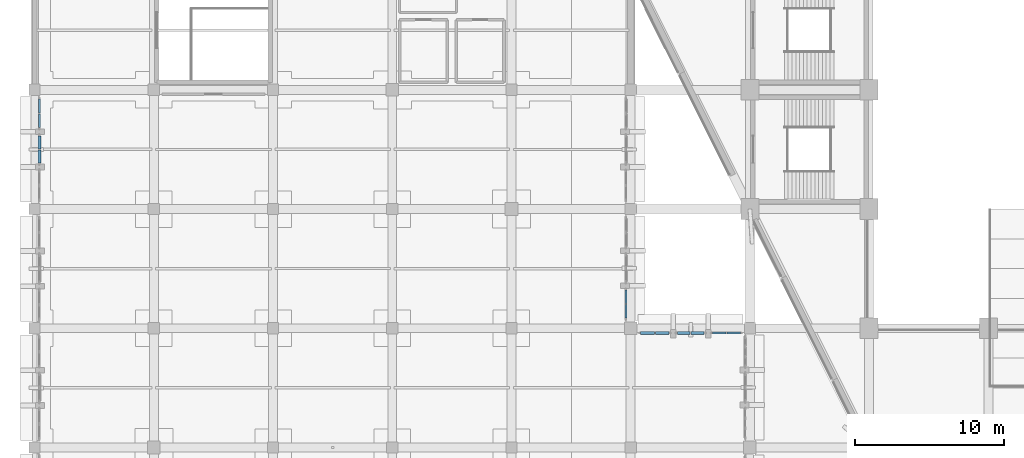
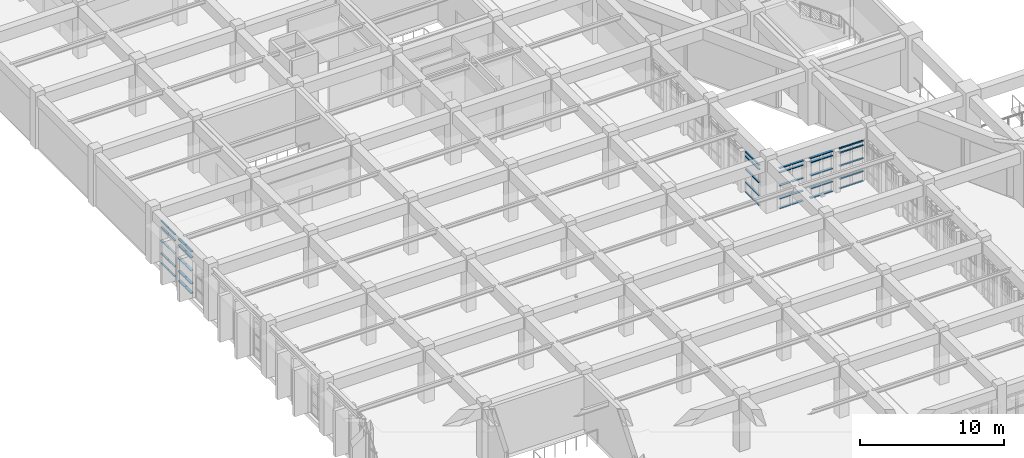
# One storey, part 56 of 155: 60 members, 6 elements without a shape of their own.
"""IFC4 building model written with IfcOpenShell, lengths in metres."""

import ifcopenshell
import ifcopenshell.guid

model = None  # the IFC model being written
_history = None  # IfcOwnerHistory: only IFC2X3 demands one
_inside = {}  # id of a spatial element -> (the spatial element, [elements in it])
_under = {}  # id of a project, library or spatial element -> (it, [spatial elements below it])
_declared = {}  # id of a project -> (the project, [libraries it declares])
_typed = {}  # id of a type object -> (the type object, [elements of that type])
_made_of = {}  # id of a material, layer set ... -> (it, [elements and type objects made of it])


def new_model(schema):
    """Start an empty IFC model of exactly this schema.

    Asked for "IFC4X3", IfcOpenShell would pick the latest addendum, in which some entities
    have other attributes; the version numbers below select the first issue.
    IFC2X3 requires an IfcOwnerHistory on every rooted entity: one is made here for all.
    """
    global model, _history
    if schema == "IFC4X3":
        model = ifcopenshell.file(schema_version=(4, 3, 0, 0))
    else:
        model = ifcopenshell.file(schema=schema)
    _inside.clear()
    _under.clear()
    _declared.clear()
    _typed.clear()
    _made_of.clear()
    _history = None
    if model.schema == "IFC2X3":
        org = make("IfcOrganization", Name="unknown")
        user = make(
            "IfcPersonAndOrganization",
            ThePerson=make("IfcPerson", FamilyName="unknown"),
            TheOrganization=org,
        )
        app = make(
            "IfcApplication",
            ApplicationDeveloper=org,
            Version="unknown",
            ApplicationFullName="unknown",
            ApplicationIdentifier="unknown",
        )
        _history = make(
            "IfcOwnerHistory",
            OwningUser=user,
            OwningApplication=app,
            ChangeAction="ADDED",
            CreationDate=0,
        )
    return model


def make(cls, **values):
    """One entity of the class cls with the attributes given. An attribute that is None is left unset."""
    return model.create_entity(
        cls, **{name: value for name, value in values.items() if value is not None}
    )


def rooted(cls, **values):
    """An entity with a GlobalId (a new one), such as an element, a storey or a relation."""
    return make(cls, GlobalId=ifcopenshell.guid.new(), OwnerHistory=_history, **values)


def si_unit(unit_type, name, prefix=None):
    """IfcSIUnit, for example si_unit("LENGTHUNIT", "METRE", prefix="MILLI")."""
    return make("IfcSIUnit", UnitType=unit_type, Prefix=prefix, Name=name)


def assignment(units):
    """IfcUnitAssignment: the units of a project."""
    return None if units is None else make("IfcUnitAssignment", Units=units)


def point(xyz):
    """IfcCartesianPoint."""
    return None if xyz is None else make("IfcCartesianPoint", Coordinates=xyz)


def direction(xyz):
    """IfcDirection."""
    return None if xyz is None else make("IfcDirection", DirectionRatios=xyz)


def frame(location, z_axis=None, x_axis=None):
    """IfcAxis2Placement3D, a coordinate frame: its origin and axes. An axis left out is left unset."""
    return make(
        "IfcAxis2Placement3D",
        Location=point(location),
        Axis=direction(z_axis),
        RefDirection=direction(x_axis),
    )


def frame_2d(location, x_axis=None):
    """IfcAxis2Placement2D, a coordinate frame in the plane: its origin and x axis."""
    return make(
        "IfcAxis2Placement2D", Location=point(location), RefDirection=direction(x_axis)
    )


def origin():
    """The frame at (0, 0, 0) with its axes left unset."""
    return frame((0.0, 0.0, 0.0))


def origin_2d():
    """The frame at (0, 0) in the plane with its x axis left unset."""
    return frame_2d((0.0, 0.0))


def place(relative_to, where):
    """IfcLocalPlacement: puts the frame where relative to a parent placement (None: the world)."""
    return make(
        "IfcLocalPlacement", PlacementRelTo=relative_to, RelativePlacement=where
    )


def context(
    kind, dimensions, precision=None, world=None, true_north=None, identifier=None
):
    """IfcGeometricRepresentationContext, for example the 3D "Model" context."""
    return make(
        "IfcGeometricRepresentationContext",
        ContextIdentifier=identifier,
        ContextType=kind,
        CoordinateSpaceDimension=dimensions,
        Precision=precision,
        WorldCoordinateSystem=world,
        TrueNorth=true_north,
    )


def subcontext(parent, identifier, kind, view, scale=None):
    """IfcGeometricRepresentationSubContext, for example "Body" below "Model"."""
    return make(
        "IfcGeometricRepresentationSubContext",
        ContextIdentifier=identifier,
        ContextType=kind,
        ParentContext=parent,
        TargetScale=scale,
        TargetView=view,
    )


def project(units=None, contexts=None):
    """IfcProject with its units and contexts."""
    return rooted(
        "IfcProject",
        Name="project",
        RepresentationContexts=contexts,
        UnitsInContext=assignment(units),
    )


def spatial(cls, under=None, at=None, **own):
    """A site, building, storey or space (cls), placed at a placement, below another one or the project."""
    s = rooted(cls, ObjectPlacement=at, **own)
    if under is not None:
        _under.setdefault(under.id(), (under, []))[1].append(s)
    return s


def profile(cls, at=None, kind="AREA", **sizes):
    """A parametric profile (cls). Its sizes go by their IFC names, for example OverallWidth=200.0."""
    return make(cls, ProfileType=kind, Position=at, **sizes)


def rectangle(**sizes):
    """IfcRectangleProfileDef."""
    return profile("IfcRectangleProfileDef", **sizes)


def extrude(swept, where, along, depth):
    """IfcExtrudedAreaSolid: the profile swept, set in the frame where, extruded along a direction by depth."""
    return make(
        "IfcExtrudedAreaSolid",
        SweptArea=swept,
        Position=where,
        ExtrudedDirection=direction(along),
        Depth=depth,
    )


def shape(context_of_items, identifier, shape_type, items):
    """IfcShapeRepresentation: the items that make up one representation, for example the "Body"."""
    return make(
        "IfcShapeRepresentation",
        ContextOfItems=context_of_items,
        RepresentationIdentifier=identifier,
        RepresentationType=shape_type,
        Items=items,
    )


def material(Name=None, Category=None):
    """IfcMaterial."""
    return make("IfcMaterial", Name=Name, Category=Category)


def layer(
    of_material, thickness, ventilated=None, Name=None, Category=None, Priority=None
):
    """IfcMaterialLayer: one layer of a wall or slab, of a material (None: an air gap)."""
    return make(
        "IfcMaterialLayer",
        Material=of_material,
        LayerThickness=thickness,
        IsVentilated=ventilated,
        Name=Name,
        Category=Category,
        Priority=Priority,
    )


def layer_set(layers, Name=None):
    """IfcMaterialLayerSet."""
    return make("IfcMaterialLayerSet", MaterialLayers=layers, LayerSetName=Name)


def material_profile(
    of_material, cross_section, Name=None, Category=None, Priority=None
):
    """IfcMaterialProfile: a cross section and its material."""
    return make(
        "IfcMaterialProfile",
        Name=Name,
        Material=of_material,
        Profile=cross_section,
        Priority=Priority,
        Category=Category,
    )


def profile_set(profiles, Name=None, composite=None):
    """IfcMaterialProfileSet."""
    return make(
        "IfcMaterialProfileSet",
        Name=Name,
        MaterialProfiles=profiles,
        CompositeProfile=composite,
    )


def made_of(thing, what):
    """Note that an element or type object is made of a material, layer set ...; save() writes the relation."""
    if what is not None:
        _made_of.setdefault(what.id(), (what, []))[1].append(thing)
    return thing


def type_object(cls, material=None, **own):
    """A type object (cls), such as IfcWallType, which elements share."""
    return made_of(rooted(cls, **own), material)


def element(
    cls,
    number,
    at=None,
    inside=None,
    cuts=None,
    type_object=None,
    material=None,
    context=None,
    identifier="Body",
    shape_type=None,
    held_by="IfcProductDefinitionShape",
    body=None,
    shapes=None,
    **own,
):
    """One element of the class cls, such as IfcWall. Its Tag is "e" and its number.

    at: its placement. inside: the storey or other place that contains it. cuts: it is an
    opening in that element (IfcRelVoidsElement). A single representation is given by context,
    identifier, shape_type and body (its items); several are given by shapes. held_by: the class
    of the entity that holds the representations. save() writes the other relations.
    """
    e = rooted(cls, Tag="e%d" % number, ObjectPlacement=at, **own)
    if body is not None:
        shapes = [shape(context, identifier, shape_type, body)]
    if shapes is not None:
        e.Representation = make(held_by, Representations=shapes)
    if inside is not None:
        _inside.setdefault(inside.id(), (inside, []))[1].append(e)
    if cuts is not None:
        rooted(
            "IfcRelVoidsElement", RelatingBuildingElement=cuts, RelatedOpeningElement=e
        )
    if type_object is not None:
        _typed.setdefault(type_object.id(), (type_object, []))[1].append(e)
    return made_of(e, material)


def aggregate(whole, parts):
    """IfcRelAggregates: a whole, such as a stair, and the parts it consists of."""
    return rooted("IfcRelAggregates", RelatingObject=whole, RelatedObjects=parts)


def save(model, path):
    """Write the relations noted so far, then the file.

    IfcRelAggregates (storeys below a building ...), IfcRelContainedInSpatialStructure (elements
    in a storey), IfcRelDefinesByType, IfcRelAssociatesMaterial and IfcRelDeclares: one each for
    every whole, place, type object, material and project.
    """
    for whole, parts in _under.values():
        aggregate(whole, parts)
    for where, things in _inside.values():
        rooted(
            "IfcRelContainedInSpatialStructure",
            RelatedElements=things,
            RelatingStructure=where,
        )
    for kind, things in _typed.values():
        rooted("IfcRelDefinesByType", RelatedObjects=things, RelatingType=kind)
    for what, things in _made_of.values():
        rooted("IfcRelAssociatesMaterial", RelatedObjects=things, RelatingMaterial=what)
    for by, libraries in _declared.values():
        rooted("IfcRelDeclares", RelatingContext=by, RelatedDefinitions=libraries)
    model.write(path)


model = new_model("IFC4")

# Units and contexts
model_context = context("Model", 3, precision=1e-05, world=origin(), true_north=direction((0.0, 1.0)))
body_context = subcontext(model_context, "Body", "Model", "MODEL_VIEW")
ifc_project = project(units=[si_unit("LENGTHUNIT", "METRE"), si_unit("AREAUNIT", "SQUARE_METRE"), si_unit("VOLUMEUNIT", "CUBIC_METRE"), si_unit("PLANEANGLEUNIT", "RADIAN"), si_unit("MASSUNIT", "GRAM", prefix="KILO")], contexts=[model_context])

# Site, building, storey
site_placement = place(None, origin())
site = spatial("IfcSite", under=ifc_project, at=site_placement, CompositionType="ELEMENT")
building_placement = place(site_placement, origin())
building = spatial("IfcBuilding", under=site, at=building_placement, Name="Tazarka Park Arena", CompositionType="ELEMENT")
storey_placement = place(building_placement, frame((0.0, 0.0, 5.39990234375)))
storey = spatial("IfcBuildingStorey", under=building, at=storey_placement, Name="L01", CompositionType="ELEMENT", Elevation=5.39990234375)

# Curtain wall, members
ifc_material_1 = material(Name="Aluminium and low-e glass", Category="aluminium")
ifc_layer_1 = layer(ifc_material_1, 0.179931640625, Name="Aluminium and low-e glass")
ifc_layer_set_1 = layer_set([ifc_layer_1], Name="Aluminium and low-e glass")
curtain_wall_type_1 = type_object("IfcCurtainWallType", Name="CW-12", PredefinedType="NOTDEFINED", material=ifc_layer_set_1)
curtain_wall_1_placement = place(storey_placement, origin())
curtain_wall_1 = element("IfcCurtainWall", 1, at=curtain_wall_1_placement, inside=storey, type_object=curtain_wall_type_1, Name="Curtain Wall CWA-L01-102", PredefinedType="NOTDEFINED")
ifc_material_2 = material(Name="Aluminium 6060-T66", Category="aluminium")
ifc_material_profile_1 = material_profile(ifc_material_2, rectangle(XDim=0.139892578125, YDim=0.06494140625, at=origin_2d()), Name="Aluminium 6060-T66")
ifc_profile_set_1 = profile_set([ifc_material_profile_1], Name="Aluminium 6060-T66")
member_type_1 = type_object("IfcMemberType", Name="CWT-01", PredefinedType="USERDEFINED", material=ifc_profile_set_1)
member_1_placement = place(storey_placement, frame((45.473388671875, 39.679931640625, 0.03271484375), z_axis=(1.0, 0.0, 0.0), x_axis=(0.0, 1.0, 0.0)))
member_1 = element("IfcMember", 2, at=member_1_placement, type_object=member_type_1, Name="CW-12 transom 1.1", ObjectType="TRANSOM", PredefinedType="USERDEFINED", context=body_context, shape_type="SweptSolid", body=[
    extrude(rectangle(XDim=0.139892578125, YDim=0.06494140625, at=origin_2d()), origin(), (0.0, 0.0, 1.0), 0.920654296875),
])
member_2_placement = place(storey_placement, frame((45.473388671875, 39.679931640625, 0.85009765625), z_axis=(1.0, 0.0, 0.0), x_axis=(0.0, 1.0, 0.0)))
member_2 = element("IfcMember", 3, at=member_2_placement, type_object=member_type_1, Name="CW-12 transom 1.2", ObjectType="TRANSOM", PredefinedType="USERDEFINED", context=body_context, shape_type="SweptSolid", body=[
    extrude(rectangle(XDim=0.139892578125, YDim=0.06494140625, at=origin_2d()), origin(), (0.0, 0.0, 1.0), 0.920654296875),
])
member_3_placement = place(storey_placement, frame((45.473388671875, 39.679931640625, 1.9501953125), z_axis=(1.0, 0.0, 0.0), x_axis=(0.0, 1.0, 0.0)))
member_3 = element("IfcMember", 4, at=member_3_placement, type_object=member_type_1, Name="CW-12 transom 1.3", ObjectType="TRANSOM", PredefinedType="USERDEFINED", context=body_context, shape_type="SweptSolid", body=[
    extrude(rectangle(XDim=0.139892578125, YDim=0.06494140625, at=origin_2d()), origin(), (0.0, 0.0, 1.0), 0.920654296875),
])
member_4_placement = place(storey_placement, frame((45.473388671875, 39.679931640625, 3.050048828125), z_axis=(1.0, 0.0, 0.0), x_axis=(0.0, 1.0, 0.0)))
member_4 = element("IfcMember", 5, at=member_4_placement, type_object=member_type_1, Name="CW-12 transom 1.4", ObjectType="TRANSOM", PredefinedType="USERDEFINED", context=body_context, shape_type="SweptSolid", body=[
    extrude(rectangle(XDim=0.139892578125, YDim=0.06494140625, at=origin_2d()), origin(), (0.0, 0.0, 1.0), 0.920654296875),
])
member_5_placement = place(storey_placement, frame((45.473388671875, 39.679931640625, 3.41748046875), z_axis=(1.0, 0.0, 0.0), x_axis=(0.0, 1.0, 0.0)))
member_5 = element("IfcMember", 6, at=member_5_placement, type_object=member_type_1, Name="CW-12 transom 1.5", ObjectType="TRANSOM", PredefinedType="USERDEFINED", context=body_context, shape_type="SweptSolid", body=[
    extrude(rectangle(XDim=0.139892578125, YDim=0.06494140625, at=origin_2d()), origin(), (0.0, 0.0, 1.0), 0.920654296875),
])
member_6_placement = place(storey_placement, frame((46.459228515625, 39.679931640625, 0.03271484375), z_axis=(1.0, 0.0, 0.0), x_axis=(0.0, 1.0, 0.0)))
member_6 = element("IfcMember", 7, at=member_6_placement, type_object=member_type_1, Name="CW-12 transom 2.1", ObjectType="TRANSOM", PredefinedType="USERDEFINED", context=body_context, shape_type="SweptSolid", body=[
    extrude(rectangle(XDim=0.139892578125, YDim=0.06494140625, at=origin_2d()), origin(), (0.0, 0.0, 1.0), 0.920654296875),
])
member_7_placement = place(storey_placement, frame((46.459228515625, 39.679931640625, 0.85009765625), z_axis=(1.0, 0.0, 0.0), x_axis=(0.0, 1.0, 0.0)))
member_7 = element("IfcMember", 8, at=member_7_placement, type_object=member_type_1, Name="CW-12 transom 2.2", ObjectType="TRANSOM", PredefinedType="USERDEFINED", context=body_context, shape_type="SweptSolid", body=[
    extrude(rectangle(XDim=0.139892578125, YDim=0.06494140625, at=origin_2d()), origin(), (0.0, 0.0, 1.0), 0.920654296875),
])
member_8_placement = place(storey_placement, frame((46.459228515625, 39.679931640625, 1.9501953125), z_axis=(1.0, 0.0, 0.0), x_axis=(0.0, 1.0, 0.0)))
member_8 = element("IfcMember", 9, at=member_8_placement, type_object=member_type_1, Name="CW-12 transom 2.3", ObjectType="TRANSOM", PredefinedType="USERDEFINED", context=body_context, shape_type="SweptSolid", body=[
    extrude(rectangle(XDim=0.139892578125, YDim=0.06494140625, at=origin_2d()), origin(), (0.0, 0.0, 1.0), 0.920654296875),
])
member_9_placement = place(storey_placement, frame((46.459228515625, 39.679931640625, 3.050048828125), z_axis=(1.0, 0.0, 0.0), x_axis=(0.0, 1.0, 0.0)))
member_9 = element("IfcMember", 10, at=member_9_placement, type_object=member_type_1, Name="CW-12 transom 2.4", ObjectType="TRANSOM", PredefinedType="USERDEFINED", context=body_context, shape_type="SweptSolid", body=[
    extrude(rectangle(XDim=0.139892578125, YDim=0.06494140625, at=origin_2d()), origin(), (0.0, 0.0, 1.0), 0.920654296875),
])
member_10_placement = place(storey_placement, frame((46.459228515625, 39.679931640625, 3.41748046875), z_axis=(1.0, 0.0, 0.0), x_axis=(0.0, 1.0, 0.0)))
member_10 = element("IfcMember", 11, at=member_10_placement, type_object=member_type_1, Name="CW-12 transom 2.5", ObjectType="TRANSOM", PredefinedType="USERDEFINED", context=body_context, shape_type="SweptSolid", body=[
    extrude(rectangle(XDim=0.139892578125, YDim=0.06494140625, at=origin_2d()), origin(), (0.0, 0.0, 1.0), 0.920654296875),
])
aggregate(curtain_wall_1, [member_1, member_2, member_3, member_4, member_5, member_6, member_7, member_8, member_9, member_10])

ifc_material_3 = material(Name="Aluminium and low-e glass", Category="aluminium")
ifc_layer_2 = layer(ifc_material_3, 0.179931640625, Name="Aluminium and low-e glass")
ifc_layer_set_2 = layer_set([ifc_layer_2], Name="Aluminium and low-e glass")
curtain_wall_type_2 = type_object("IfcCurtainWallType", Name="CW-15", PredefinedType="NOTDEFINED", material=ifc_layer_set_2)
curtain_wall_2_placement = place(storey_placement, origin())
curtain_wall_2 = element("IfcCurtainWall", 12, at=curtain_wall_2_placement, inside=storey, type_object=curtain_wall_type_2, Name="Curtain Wall CWA-L01-105", PredefinedType="NOTDEFINED")
member_11_placement = place(storey_placement, frame((39.679931640625, 42.57666015625, 0.03271484375), z_axis=(0.0, -1.0, 0.0), x_axis=(1.0, 0.0, 0.0)))
member_11 = element("IfcMember", 13, at=member_11_placement, type_object=member_type_1, Name="CW-15 transom 1.1", ObjectType="TRANSOM", PredefinedType="USERDEFINED", context=body_context, shape_type="SweptSolid", body=[
    extrude(rectangle(XDim=0.139892578125, YDim=0.06494140625, at=origin_2d()), origin(), (0.0, 0.0, 1.0), 0.9208984375),
])
member_12_placement = place(storey_placement, frame((39.679931640625, 42.57666015625, 0.85009765625), z_axis=(0.0, -1.0, 0.0), x_axis=(1.0, 0.0, 0.0)))
member_12 = element("IfcMember", 14, at=member_12_placement, type_object=member_type_1, Name="CW-15 transom 1.2", ObjectType="TRANSOM", PredefinedType="USERDEFINED", context=body_context, shape_type="SweptSolid", body=[
    extrude(rectangle(XDim=0.139892578125, YDim=0.06494140625, at=origin_2d()), origin(), (0.0, 0.0, 1.0), 0.9208984375),
])
member_13_placement = place(storey_placement, frame((39.679931640625, 42.57666015625, 1.9501953125), z_axis=(0.0, -1.0, 0.0), x_axis=(1.0, 0.0, 0.0)))
member_13 = element("IfcMember", 15, at=member_13_placement, type_object=member_type_1, Name="CW-15 transom 1.3", ObjectType="TRANSOM", PredefinedType="USERDEFINED", context=body_context, shape_type="SweptSolid", body=[
    extrude(rectangle(XDim=0.139892578125, YDim=0.06494140625, at=origin_2d()), origin(), (0.0, 0.0, 1.0), 0.9208984375),
])
member_14_placement = place(storey_placement, frame((39.679931640625, 42.57666015625, 3.050048828125), z_axis=(0.0, -1.0, 0.0), x_axis=(1.0, 0.0, 0.0)))
member_14 = element("IfcMember", 16, at=member_14_placement, type_object=member_type_1, Name="CW-15 transom 1.4", ObjectType="TRANSOM", PredefinedType="USERDEFINED", context=body_context, shape_type="SweptSolid", body=[
    extrude(rectangle(XDim=0.139892578125, YDim=0.06494140625, at=origin_2d()), origin(), (0.0, 0.0, 1.0), 0.9208984375),
])
member_15_placement = place(storey_placement, frame((39.679931640625, 42.57666015625, 3.41748046875), z_axis=(0.0, -1.0, 0.0), x_axis=(1.0, 0.0, 0.0)))
member_15 = element("IfcMember", 17, at=member_15_placement, type_object=member_type_1, Name="CW-15 transom 1.5", ObjectType="TRANSOM", PredefinedType="USERDEFINED", context=body_context, shape_type="SweptSolid", body=[
    extrude(rectangle(XDim=0.139892578125, YDim=0.06494140625, at=origin_2d()), origin(), (0.0, 0.0, 1.0), 0.9208984375),
])
member_16_placement = place(storey_placement, frame((39.679931640625, 41.5908203125, 0.03271484375), z_axis=(0.0, -1.0, 0.0), x_axis=(1.0, 0.0, 0.0)))
member_16 = element("IfcMember", 18, at=member_16_placement, type_object=member_type_1, Name="CW-15 transom 2.1", ObjectType="TRANSOM", PredefinedType="USERDEFINED", context=body_context, shape_type="SweptSolid", body=[
    extrude(rectangle(XDim=0.139892578125, YDim=0.06494140625, at=origin_2d()), origin(), (0.0, 0.0, 1.0), 0.9208984375),
])
member_17_placement = place(storey_placement, frame((39.679931640625, 41.5908203125, 0.85009765625), z_axis=(0.0, -1.0, 0.0), x_axis=(1.0, 0.0, 0.0)))
member_17 = element("IfcMember", 19, at=member_17_placement, type_object=member_type_1, Name="CW-15 transom 2.2", ObjectType="TRANSOM", PredefinedType="USERDEFINED", context=body_context, shape_type="SweptSolid", body=[
    extrude(rectangle(XDim=0.139892578125, YDim=0.06494140625, at=origin_2d()), origin(), (0.0, 0.0, 1.0), 0.9208984375),
])
member_18_placement = place(storey_placement, frame((39.679931640625, 41.5908203125, 1.9501953125), z_axis=(0.0, -1.0, 0.0), x_axis=(1.0, 0.0, 0.0)))
member_18 = element("IfcMember", 20, at=member_18_placement, type_object=member_type_1, Name="CW-15 transom 2.3", ObjectType="TRANSOM", PredefinedType="USERDEFINED", context=body_context, shape_type="SweptSolid", body=[
    extrude(rectangle(XDim=0.139892578125, YDim=0.06494140625, at=origin_2d()), origin(), (0.0, 0.0, 1.0), 0.9208984375),
])
member_19_placement = place(storey_placement, frame((39.679931640625, 41.5908203125, 3.050048828125), z_axis=(0.0, -1.0, 0.0), x_axis=(1.0, 0.0, 0.0)))
member_19 = element("IfcMember", 21, at=member_19_placement, type_object=member_type_1, Name="CW-15 transom 2.4", ObjectType="TRANSOM", PredefinedType="USERDEFINED", context=body_context, shape_type="SweptSolid", body=[
    extrude(rectangle(XDim=0.139892578125, YDim=0.06494140625, at=origin_2d()), origin(), (0.0, 0.0, 1.0), 0.9208984375),
])
member_20_placement = place(storey_placement, frame((39.679931640625, 41.5908203125, 3.41748046875), z_axis=(0.0, -1.0, 0.0), x_axis=(1.0, 0.0, 0.0)))
member_20 = element("IfcMember", 22, at=member_20_placement, type_object=member_type_1, Name="CW-15 transom 2.5", ObjectType="TRANSOM", PredefinedType="USERDEFINED", context=body_context, shape_type="SweptSolid", body=[
    extrude(rectangle(XDim=0.139892578125, YDim=0.06494140625, at=origin_2d()), origin(), (0.0, 0.0, 1.0), 0.9208984375),
])
aggregate(curtain_wall_2, [member_11, member_12, member_13, member_14, member_15, member_16, member_17, member_18, member_19, member_20])

ifc_material_4 = material(Name="Aluminium and low-e glass", Category="aluminium")
ifc_layer_3 = layer(ifc_material_4, 0.179931640625, Name="Aluminium and low-e glass")
ifc_layer_set_3 = layer_set([ifc_layer_3], Name="Aluminium and low-e glass")
curtain_wall_type_3 = type_object("IfcCurtainWallType", Name="CW-21", PredefinedType="NOTDEFINED", material=ifc_layer_set_3)
curtain_wall_3_placement = place(storey_placement, origin())
curtain_wall_3 = element("IfcCurtainWall", 23, at=curtain_wall_3_placement, inside=storey, type_object=curtain_wall_type_3, Name="Curtain Wall CWA-L01-141", PredefinedType="NOTDEFINED")
member_21_placement = place(storey_placement, frame((0.320068359375, 53.456787109375, 0.03271484375), z_axis=(0.0, 1.0, 0.0), x_axis=(-1.0, 0.0, 0.0)))
member_21 = element("IfcMember", 24, at=member_21_placement, type_object=member_type_1, Name="CW-21 transom 1.1", ObjectType="TRANSOM", PredefinedType="USERDEFINED", context=body_context, shape_type="SweptSolid", body=[
    extrude(rectangle(XDim=0.139892578125, YDim=0.06494140625, at=origin_2d()), origin(), (0.0, 0.0, 1.0), 0.928955078125),
])
member_22_placement = place(storey_placement, frame((0.320068359375, 53.456787109375, 0.85009765625), z_axis=(0.0, 1.0, 0.0), x_axis=(-1.0, 0.0, 0.0)))
member_22 = element("IfcMember", 25, at=member_22_placement, type_object=member_type_1, Name="CW-21 transom 1.2", ObjectType="TRANSOM", PredefinedType="USERDEFINED", context=body_context, shape_type="SweptSolid", body=[
    extrude(rectangle(XDim=0.139892578125, YDim=0.06494140625, at=origin_2d()), origin(), (0.0, 0.0, 1.0), 0.928955078125),
])
member_23_placement = place(storey_placement, frame((0.320068359375, 53.456787109375, 1.9501953125), z_axis=(0.0, 1.0, 0.0), x_axis=(-1.0, 0.0, 0.0)))
member_23 = element("IfcMember", 26, at=member_23_placement, type_object=member_type_1, Name="CW-21 transom 1.3", ObjectType="TRANSOM", PredefinedType="USERDEFINED", context=body_context, shape_type="SweptSolid", body=[
    extrude(rectangle(XDim=0.139892578125, YDim=0.06494140625, at=origin_2d()), origin(), (0.0, 0.0, 1.0), 0.928955078125),
])
member_24_placement = place(storey_placement, frame((0.320068359375, 53.456787109375, 3.050048828125), z_axis=(0.0, 1.0, 0.0), x_axis=(-1.0, 0.0, 0.0)))
member_24 = element("IfcMember", 27, at=member_24_placement, type_object=member_type_1, Name="CW-21 transom 1.4", ObjectType="TRANSOM", PredefinedType="USERDEFINED", context=body_context, shape_type="SweptSolid", body=[
    extrude(rectangle(XDim=0.139892578125, YDim=0.06494140625, at=origin_2d()), origin(), (0.0, 0.0, 1.0), 0.928955078125),
])
member_25_placement = place(storey_placement, frame((0.320068359375, 53.456787109375, 3.567626953125), z_axis=(0.0, 1.0, 0.0), x_axis=(-1.0, 0.0, 0.0)))
member_25 = element("IfcMember", 28, at=member_25_placement, type_object=member_type_1, Name="CW-21 transom 1.5", ObjectType="TRANSOM", PredefinedType="USERDEFINED", context=body_context, shape_type="SweptSolid", body=[
    extrude(rectangle(XDim=0.139892578125, YDim=0.06494140625, at=origin_2d()), origin(), (0.0, 0.0, 1.0), 0.928955078125),
])
member_26_placement = place(storey_placement, frame((0.320068359375, 54.450927734375, 0.03271484375), z_axis=(0.0, 1.0, 0.0), x_axis=(-1.0, 0.0, 0.0)))
member_26 = element("IfcMember", 29, at=member_26_placement, type_object=member_type_1, Name="CW-21 transom 2.1", ObjectType="TRANSOM", PredefinedType="USERDEFINED", context=body_context, shape_type="SweptSolid", body=[
    extrude(rectangle(XDim=0.139892578125, YDim=0.06494140625, at=origin_2d()), origin(), (0.0, 0.0, 1.0), 0.928955078125),
])
member_27_placement = place(storey_placement, frame((0.320068359375, 54.450927734375, 0.85009765625), z_axis=(0.0, 1.0, 0.0), x_axis=(-1.0, 0.0, 0.0)))
member_27 = element("IfcMember", 30, at=member_27_placement, type_object=member_type_1, Name="CW-21 transom 2.2", ObjectType="TRANSOM", PredefinedType="USERDEFINED", context=body_context, shape_type="SweptSolid", body=[
    extrude(rectangle(XDim=0.139892578125, YDim=0.06494140625, at=origin_2d()), origin(), (0.0, 0.0, 1.0), 0.928955078125),
])
member_28_placement = place(storey_placement, frame((0.320068359375, 54.450927734375, 1.9501953125), z_axis=(0.0, 1.0, 0.0), x_axis=(-1.0, 0.0, 0.0)))
member_28 = element("IfcMember", 31, at=member_28_placement, type_object=member_type_1, Name="CW-21 transom 2.3", ObjectType="TRANSOM", PredefinedType="USERDEFINED", context=body_context, shape_type="SweptSolid", body=[
    extrude(rectangle(XDim=0.139892578125, YDim=0.06494140625, at=origin_2d()), origin(), (0.0, 0.0, 1.0), 0.928955078125),
])
member_29_placement = place(storey_placement, frame((0.320068359375, 54.450927734375, 3.050048828125), z_axis=(0.0, 1.0, 0.0), x_axis=(-1.0, 0.0, 0.0)))
member_29 = element("IfcMember", 32, at=member_29_placement, type_object=member_type_1, Name="CW-21 transom 2.4", ObjectType="TRANSOM", PredefinedType="USERDEFINED", context=body_context, shape_type="SweptSolid", body=[
    extrude(rectangle(XDim=0.139892578125, YDim=0.06494140625, at=origin_2d()), origin(), (0.0, 0.0, 1.0), 0.928955078125),
])
member_30_placement = place(storey_placement, frame((0.320068359375, 54.450927734375, 3.567626953125), z_axis=(0.0, 1.0, 0.0), x_axis=(-1.0, 0.0, 0.0)))
member_30 = element("IfcMember", 33, at=member_30_placement, type_object=member_type_1, Name="CW-21 transom 2.5", ObjectType="TRANSOM", PredefinedType="USERDEFINED", context=body_context, shape_type="SweptSolid", body=[
    extrude(rectangle(XDim=0.139892578125, YDim=0.06494140625, at=origin_2d()), origin(), (0.0, 0.0, 1.0), 0.928955078125),
])
aggregate(curtain_wall_3, [member_21, member_22, member_23, member_24, member_25, member_26, member_27, member_28, member_29, member_30])

ifc_material_5 = material(Name="Aluminium and low-e glass", Category="aluminium")
ifc_layer_4 = layer(ifc_material_5, 0.179931640625, Name="Aluminium and low-e glass")
ifc_layer_set_4 = layer_set([ifc_layer_4], Name="Aluminium and low-e glass")
curtain_wall_type_4 = type_object("IfcCurtainWallType", Name="CW-10", PredefinedType="NOTDEFINED", material=ifc_layer_set_4)
curtain_wall_4_placement = place(storey_placement, origin())
curtain_wall_4 = element("IfcCurtainWall", 34, at=curtain_wall_4_placement, inside=storey, type_object=curtain_wall_type_4, Name="Curtain Wall CWA-L01-100", PredefinedType="NOTDEFINED")
ifc_material_6 = material(Name="Aluminium 6060-T66", Category="aluminium")
ifc_material_profile_2 = material_profile(ifc_material_6, rectangle(XDim=0.179931640625, YDim=0.06494140625, at=origin_2d()), Name="Aluminium 6060-T66")
ifc_profile_set_2 = profile_set([ifc_material_profile_2], Name="Aluminium 6060-T66")
member_type_2 = type_object("IfcMemberType", Name="CWT-02", PredefinedType="USERDEFINED", material=ifc_profile_set_2)
member_31_placement = place(storey_placement, frame((40.669921875, 39.679931640625, 0.03271484375), z_axis=(1.0, 0.0, 0.0), x_axis=(0.0, 1.0, 0.0)))
member_31 = element("IfcMember", 35, at=member_31_placement, type_object=member_type_2, Name="CW-10 transom 1.1", ObjectType="TRANSOM", PredefinedType="USERDEFINED", context=body_context, shape_type="SweptSolid", body=[
    extrude(rectangle(XDim=0.179931640625, YDim=0.06494140625, at=origin_2d()), origin(), (0.0, 0.0, 1.0), 0.9208984375),
])
member_32_placement = place(storey_placement, frame((40.669921875, 39.679931640625, 0.85009765625), z_axis=(1.0, 0.0, 0.0), x_axis=(0.0, 1.0, 0.0)))
member_32 = element("IfcMember", 36, at=member_32_placement, type_object=member_type_2, Name="CW-10 transom 1.2", ObjectType="TRANSOM", PredefinedType="USERDEFINED", context=body_context, shape_type="SweptSolid", body=[
    extrude(rectangle(XDim=0.179931640625, YDim=0.06494140625, at=origin_2d()), origin(), (0.0, 0.0, 1.0), 0.9208984375),
])
member_33_placement = place(storey_placement, frame((40.669921875, 39.679931640625, 1.9501953125), z_axis=(1.0, 0.0, 0.0), x_axis=(0.0, 1.0, 0.0)))
member_33 = element("IfcMember", 37, at=member_33_placement, type_object=member_type_2, Name="CW-10 transom 1.3", ObjectType="TRANSOM", PredefinedType="USERDEFINED", context=body_context, shape_type="SweptSolid", body=[
    extrude(rectangle(XDim=0.179931640625, YDim=0.06494140625, at=origin_2d()), origin(), (0.0, 0.0, 1.0), 0.9208984375),
])
member_34_placement = place(storey_placement, frame((40.669921875, 39.679931640625, 3.050048828125), z_axis=(1.0, 0.0, 0.0), x_axis=(0.0, 1.0, 0.0)))
member_34 = element("IfcMember", 38, at=member_34_placement, type_object=member_type_2, Name="CW-10 transom 1.4", ObjectType="TRANSOM", PredefinedType="USERDEFINED", context=body_context, shape_type="SweptSolid", body=[
    extrude(rectangle(XDim=0.179931640625, YDim=0.06494140625, at=origin_2d()), origin(), (0.0, 0.0, 1.0), 0.9208984375),
])
member_35_placement = place(storey_placement, frame((40.669921875, 39.679931640625, 3.41748046875), z_axis=(1.0, 0.0, 0.0), x_axis=(0.0, 1.0, 0.0)))
member_35 = element("IfcMember", 39, at=member_35_placement, type_object=member_type_2, Name="CW-10 transom 1.5", ObjectType="TRANSOM", PredefinedType="USERDEFINED", context=body_context, shape_type="SweptSolid", body=[
    extrude(rectangle(XDim=0.179931640625, YDim=0.06494140625, at=origin_2d()), origin(), (0.0, 0.0, 1.0), 0.9208984375),
])
member_36_placement = place(storey_placement, frame((41.65576171875, 39.679931640625, 0.03271484375), z_axis=(1.0, 0.0, 0.0), x_axis=(0.0, 1.0, 0.0)))
member_36 = element("IfcMember", 40, at=member_36_placement, type_object=member_type_2, Name="CW-10 transom 2.1", ObjectType="TRANSOM", PredefinedType="USERDEFINED", context=body_context, shape_type="SweptSolid", body=[
    extrude(rectangle(XDim=0.179931640625, YDim=0.06494140625, at=origin_2d()), origin(), (0.0, 0.0, 1.0), 0.9208984375),
])
member_37_placement = place(storey_placement, frame((41.65576171875, 39.679931640625, 0.85009765625), z_axis=(1.0, 0.0, 0.0), x_axis=(0.0, 1.0, 0.0)))
member_37 = element("IfcMember", 41, at=member_37_placement, type_object=member_type_2, Name="CW-10 transom 2.2", ObjectType="TRANSOM", PredefinedType="USERDEFINED", context=body_context, shape_type="SweptSolid", body=[
    extrude(rectangle(XDim=0.179931640625, YDim=0.06494140625, at=origin_2d()), origin(), (0.0, 0.0, 1.0), 0.9208984375),
])
member_38_placement = place(storey_placement, frame((41.65576171875, 39.679931640625, 1.9501953125), z_axis=(1.0, 0.0, 0.0), x_axis=(0.0, 1.0, 0.0)))
member_38 = element("IfcMember", 42, at=member_38_placement, type_object=member_type_2, Name="CW-10 transom 2.3", ObjectType="TRANSOM", PredefinedType="USERDEFINED", context=body_context, shape_type="SweptSolid", body=[
    extrude(rectangle(XDim=0.179931640625, YDim=0.06494140625, at=origin_2d()), origin(), (0.0, 0.0, 1.0), 0.9208984375),
])
member_39_placement = place(storey_placement, frame((41.65576171875, 39.679931640625, 3.050048828125), z_axis=(1.0, 0.0, 0.0), x_axis=(0.0, 1.0, 0.0)))
member_39 = element("IfcMember", 43, at=member_39_placement, type_object=member_type_2, Name="CW-10 transom 2.4", ObjectType="TRANSOM", PredefinedType="USERDEFINED", context=body_context, shape_type="SweptSolid", body=[
    extrude(rectangle(XDim=0.179931640625, YDim=0.06494140625, at=origin_2d()), origin(), (0.0, 0.0, 1.0), 0.9208984375),
])
member_40_placement = place(storey_placement, frame((41.65576171875, 39.679931640625, 3.41748046875), z_axis=(1.0, 0.0, 0.0), x_axis=(0.0, 1.0, 0.0)))
member_40 = element("IfcMember", 44, at=member_40_placement, type_object=member_type_2, Name="CW-10 transom 2.5", ObjectType="TRANSOM", PredefinedType="USERDEFINED", context=body_context, shape_type="SweptSolid", body=[
    extrude(rectangle(XDim=0.179931640625, YDim=0.06494140625, at=origin_2d()), origin(), (0.0, 0.0, 1.0), 0.9208984375),
])
aggregate(curtain_wall_4, [member_31, member_32, member_33, member_34, member_35, member_36, member_37, member_38, member_39, member_40])

ifc_material_7 = material(Name="Aluminium and low-e glass", Category="aluminium")
ifc_layer_5 = layer(ifc_material_7, 0.179931640625, Name="Aluminium and low-e glass")
ifc_layer_set_5 = layer_set([ifc_layer_5], Name="Aluminium and low-e glass")
curtain_wall_type_5 = type_object("IfcCurtainWallType", Name="CW-11", PredefinedType="NOTDEFINED", material=ifc_layer_set_5)
curtain_wall_5_placement = place(storey_placement, origin())
curtain_wall_5 = element("IfcCurtainWall", 45, at=curtain_wall_5_placement, inside=storey, type_object=curtain_wall_type_5, Name="Curtain Wall CWA-L01-101", PredefinedType="NOTDEFINED")
ifc_material_8 = material(Name="Aluminium 6060-T66", Category="aluminium")
ifc_material_profile_3 = material_profile(ifc_material_8, rectangle(XDim=0.2099609375, YDim=0.074951171875, at=origin_2d()), Name="Aluminium 6060-T66")
ifc_profile_set_3 = profile_set([ifc_material_profile_3], Name="Aluminium 6060-T66")
member_type_3 = type_object("IfcMemberType", Name="CWT-03", PredefinedType="USERDEFINED", material=ifc_profile_set_3)
member_41_placement = place(storey_placement, frame((43.13671875, 39.679931640625, 0.03759765625), z_axis=(1.0, 0.0, 0.0), x_axis=(0.0, 1.0, 0.0)))
member_41 = element("IfcMember", 46, at=member_41_placement, type_object=member_type_3, Name="CW-11 transom 1.1", ObjectType="TRANSOM", PredefinedType="USERDEFINED", context=body_context, shape_type="SweptSolid", body=[
    extrude(rectangle(XDim=0.2099609375, YDim=0.074951171875, at=origin_2d()), origin(), (0.0, 0.0, 1.0), 0.850830078125),
])
member_42_placement = place(storey_placement, frame((43.13671875, 39.679931640625, 0.85009765625), z_axis=(1.0, 0.0, 0.0), x_axis=(0.0, 1.0, 0.0)))
member_42 = element("IfcMember", 47, at=member_42_placement, type_object=member_type_3, Name="CW-11 transom 1.2", ObjectType="TRANSOM", PredefinedType="USERDEFINED", context=body_context, shape_type="SweptSolid", body=[
    extrude(rectangle(XDim=0.2099609375, YDim=0.074951171875, at=origin_2d()), origin(), (0.0, 0.0, 1.0), 0.850830078125),
])
member_43_placement = place(storey_placement, frame((43.13671875, 39.679931640625, 1.9501953125), z_axis=(1.0, 0.0, 0.0), x_axis=(0.0, 1.0, 0.0)))
member_43 = element("IfcMember", 48, at=member_43_placement, type_object=member_type_3, Name="CW-11 transom 1.3", ObjectType="TRANSOM", PredefinedType="USERDEFINED", context=body_context, shape_type="SweptSolid", body=[
    extrude(rectangle(XDim=0.2099609375, YDim=0.074951171875, at=origin_2d()), origin(), (0.0, 0.0, 1.0), 0.850830078125),
])
member_44_placement = place(storey_placement, frame((43.13671875, 39.679931640625, 3.050048828125), z_axis=(1.0, 0.0, 0.0), x_axis=(0.0, 1.0, 0.0)))
member_44 = element("IfcMember", 49, at=member_44_placement, type_object=member_type_3, Name="CW-11 transom 1.4", ObjectType="TRANSOM", PredefinedType="USERDEFINED", context=body_context, shape_type="SweptSolid", body=[
    extrude(rectangle(XDim=0.2099609375, YDim=0.074951171875, at=origin_2d()), origin(), (0.0, 0.0, 1.0), 0.850830078125),
])
member_45_placement = place(storey_placement, frame((43.13671875, 39.679931640625, 3.41259765625), z_axis=(1.0, 0.0, 0.0), x_axis=(0.0, 1.0, 0.0)))
member_45 = element("IfcMember", 50, at=member_45_placement, type_object=member_type_3, Name="CW-11 transom 1.5", ObjectType="TRANSOM", PredefinedType="USERDEFINED", context=body_context, shape_type="SweptSolid", body=[
    extrude(rectangle(XDim=0.2099609375, YDim=0.074951171875, at=origin_2d()), origin(), (0.0, 0.0, 1.0), 0.850830078125),
])
member_46_placement = place(storey_placement, frame((44.0625, 39.679931640625, 0.03759765625), z_axis=(1.0, 0.0, 0.0), x_axis=(0.0, 1.0, 0.0)))
member_46 = element("IfcMember", 51, at=member_46_placement, type_object=member_type_3, Name="CW-11 transom 2.1", ObjectType="TRANSOM", PredefinedType="USERDEFINED", context=body_context, shape_type="SweptSolid", body=[
    extrude(rectangle(XDim=0.2099609375, YDim=0.074951171875, at=origin_2d()), origin(), (0.0, 0.0, 1.0), 0.850830078125),
])
member_47_placement = place(storey_placement, frame((44.0625, 39.679931640625, 0.85009765625), z_axis=(1.0, 0.0, 0.0), x_axis=(0.0, 1.0, 0.0)))
member_47 = element("IfcMember", 52, at=member_47_placement, type_object=member_type_3, Name="CW-11 transom 2.2", ObjectType="TRANSOM", PredefinedType="USERDEFINED", context=body_context, shape_type="SweptSolid", body=[
    extrude(rectangle(XDim=0.2099609375, YDim=0.074951171875, at=origin_2d()), origin(), (0.0, 0.0, 1.0), 0.850830078125),
])
member_48_placement = place(storey_placement, frame((44.0625, 39.679931640625, 1.9501953125), z_axis=(1.0, 0.0, 0.0), x_axis=(0.0, 1.0, 0.0)))
member_48 = element("IfcMember", 53, at=member_48_placement, type_object=member_type_3, Name="CW-11 transom 2.3", ObjectType="TRANSOM", PredefinedType="USERDEFINED", context=body_context, shape_type="SweptSolid", body=[
    extrude(rectangle(XDim=0.2099609375, YDim=0.074951171875, at=origin_2d()), origin(), (0.0, 0.0, 1.0), 0.850830078125),
])
member_49_placement = place(storey_placement, frame((44.0625, 39.679931640625, 3.050048828125), z_axis=(1.0, 0.0, 0.0), x_axis=(0.0, 1.0, 0.0)))
member_49 = element("IfcMember", 54, at=member_49_placement, type_object=member_type_3, Name="CW-11 transom 2.4", ObjectType="TRANSOM", PredefinedType="USERDEFINED", context=body_context, shape_type="SweptSolid", body=[
    extrude(rectangle(XDim=0.2099609375, YDim=0.074951171875, at=origin_2d()), origin(), (0.0, 0.0, 1.0), 0.850830078125),
])
member_50_placement = place(storey_placement, frame((44.0625, 39.679931640625, 3.41259765625), z_axis=(1.0, 0.0, 0.0), x_axis=(0.0, 1.0, 0.0)))
member_50 = element("IfcMember", 55, at=member_50_placement, type_object=member_type_3, Name="CW-11 transom 2.5", ObjectType="TRANSOM", PredefinedType="USERDEFINED", context=body_context, shape_type="SweptSolid", body=[
    extrude(rectangle(XDim=0.2099609375, YDim=0.074951171875, at=origin_2d()), origin(), (0.0, 0.0, 1.0), 0.850830078125),
])
aggregate(curtain_wall_5, [member_41, member_42, member_43, member_44, member_45, member_46, member_47, member_48, member_49, member_50])

ifc_material_9 = material(Name="Aluminium and low-e glass", Category="aluminium")
ifc_layer_6 = layer(ifc_material_9, 0.179931640625, Name="Aluminium and low-e glass")
ifc_layer_set_6 = layer_set([ifc_layer_6], Name="Aluminium and low-e glass")
curtain_wall_type_6 = type_object("IfcCurtainWallType", Name="CW-20", PredefinedType="NOTDEFINED", material=ifc_layer_set_6)
curtain_wall_6_placement = place(storey_placement, origin())
curtain_wall_6 = element("IfcCurtainWall", 56, at=curtain_wall_6_placement, inside=storey, type_object=curtain_wall_type_6, Name="Curtain Wall CWA-L01-140", PredefinedType="NOTDEFINED")
member_51_placement = place(storey_placement, frame((0.320068359375, 51.103271484375, 0.03759765625), z_axis=(0.0, 1.0, 0.0), x_axis=(-1.0, 0.0, 0.0)))
member_51 = element("IfcMember", 57, at=member_51_placement, type_object=member_type_3, Name="CW-20 transom 1.1", ObjectType="TRANSOM", PredefinedType="USERDEFINED", context=body_context, shape_type="SweptSolid", body=[
    extrude(rectangle(XDim=0.2099609375, YDim=0.074951171875, at=origin_2d()), origin(), (0.0, 0.0, 1.0), 0.859130859375),
])
member_52_placement = place(storey_placement, frame((0.320068359375, 51.103271484375, 0.85009765625), z_axis=(0.0, 1.0, 0.0), x_axis=(-1.0, 0.0, 0.0)))
member_52 = element("IfcMember", 58, at=member_52_placement, type_object=member_type_3, Name="CW-20 transom 1.2", ObjectType="TRANSOM", PredefinedType="USERDEFINED", context=body_context, shape_type="SweptSolid", body=[
    extrude(rectangle(XDim=0.2099609375, YDim=0.074951171875, at=origin_2d()), origin(), (0.0, 0.0, 1.0), 0.859130859375),
])
member_53_placement = place(storey_placement, frame((0.320068359375, 51.103271484375, 1.9501953125), z_axis=(0.0, 1.0, 0.0), x_axis=(-1.0, 0.0, 0.0)))
member_53 = element("IfcMember", 59, at=member_53_placement, type_object=member_type_3, Name="CW-20 transom 1.3", ObjectType="TRANSOM", PredefinedType="USERDEFINED", context=body_context, shape_type="SweptSolid", body=[
    extrude(rectangle(XDim=0.2099609375, YDim=0.074951171875, at=origin_2d()), origin(), (0.0, 0.0, 1.0), 0.859130859375),
])
member_54_placement = place(storey_placement, frame((0.320068359375, 51.103271484375, 3.050048828125), z_axis=(0.0, 1.0, 0.0), x_axis=(-1.0, 0.0, 0.0)))
member_54 = element("IfcMember", 60, at=member_54_placement, type_object=member_type_3, Name="CW-20 transom 1.4", ObjectType="TRANSOM", PredefinedType="USERDEFINED", context=body_context, shape_type="SweptSolid", body=[
    extrude(rectangle(XDim=0.2099609375, YDim=0.074951171875, at=origin_2d()), origin(), (0.0, 0.0, 1.0), 0.859130859375),
])
member_55_placement = place(storey_placement, frame((0.320068359375, 51.103271484375, 3.5625), z_axis=(0.0, 1.0, 0.0), x_axis=(-1.0, 0.0, 0.0)))
member_55 = element("IfcMember", 61, at=member_55_placement, type_object=member_type_3, Name="CW-20 transom 1.5", ObjectType="TRANSOM", PredefinedType="USERDEFINED", context=body_context, shape_type="SweptSolid", body=[
    extrude(rectangle(XDim=0.2099609375, YDim=0.074951171875, at=origin_2d()), origin(), (0.0, 0.0, 1.0), 0.859130859375),
])
member_56_placement = place(storey_placement, frame((0.320068359375, 52.03759765625, 0.03759765625), z_axis=(0.0, 1.0, 0.0), x_axis=(-1.0, 0.0, 0.0)))
member_56 = element("IfcMember", 62, at=member_56_placement, type_object=member_type_3, Name="CW-20 transom 2.1", ObjectType="TRANSOM", PredefinedType="USERDEFINED", context=body_context, shape_type="SweptSolid", body=[
    extrude(rectangle(XDim=0.2099609375, YDim=0.074951171875, at=origin_2d()), origin(), (0.0, 0.0, 1.0), 0.859130859375),
])
member_57_placement = place(storey_placement, frame((0.320068359375, 52.03759765625, 0.85009765625), z_axis=(0.0, 1.0, 0.0), x_axis=(-1.0, 0.0, 0.0)))
member_57 = element("IfcMember", 63, at=member_57_placement, type_object=member_type_3, Name="CW-20 transom 2.2", ObjectType="TRANSOM", PredefinedType="USERDEFINED", context=body_context, shape_type="SweptSolid", body=[
    extrude(rectangle(XDim=0.2099609375, YDim=0.074951171875, at=origin_2d()), origin(), (0.0, 0.0, 1.0), 0.859130859375),
])
member_58_placement = place(storey_placement, frame((0.320068359375, 52.03759765625, 1.9501953125), z_axis=(0.0, 1.0, 0.0), x_axis=(-1.0, 0.0, 0.0)))
member_58 = element("IfcMember", 64, at=member_58_placement, type_object=member_type_3, Name="CW-20 transom 2.3", ObjectType="TRANSOM", PredefinedType="USERDEFINED", context=body_context, shape_type="SweptSolid", body=[
    extrude(rectangle(XDim=0.2099609375, YDim=0.074951171875, at=origin_2d()), origin(), (0.0, 0.0, 1.0), 0.859130859375),
])
member_59_placement = place(storey_placement, frame((0.320068359375, 52.03759765625, 3.050048828125), z_axis=(0.0, 1.0, 0.0), x_axis=(-1.0, 0.0, 0.0)))
member_59 = element("IfcMember", 65, at=member_59_placement, type_object=member_type_3, Name="CW-20 transom 2.4", ObjectType="TRANSOM", PredefinedType="USERDEFINED", context=body_context, shape_type="SweptSolid", body=[
    extrude(rectangle(XDim=0.2099609375, YDim=0.074951171875, at=origin_2d()), origin(), (0.0, 0.0, 1.0), 0.859130859375),
])
member_60_placement = place(storey_placement, frame((0.320068359375, 52.03759765625, 3.5625), z_axis=(0.0, 1.0, 0.0), x_axis=(-1.0, 0.0, 0.0)))
member_60 = element("IfcMember", 66, at=member_60_placement, type_object=member_type_3, Name="CW-20 transom 2.5", ObjectType="TRANSOM", PredefinedType="USERDEFINED", context=body_context, shape_type="SweptSolid", body=[
    extrude(rectangle(XDim=0.2099609375, YDim=0.074951171875, at=origin_2d()), origin(), (0.0, 0.0, 1.0), 0.859130859375),
])
aggregate(curtain_wall_6, [member_51, member_52, member_53, member_54, member_55, member_56, member_57, member_58, member_59, member_60])

save(model, "model.ifc")
